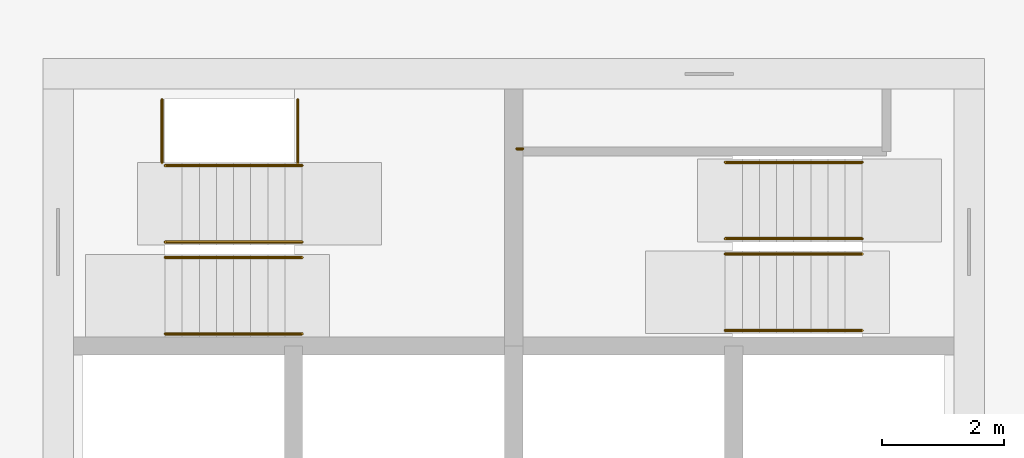
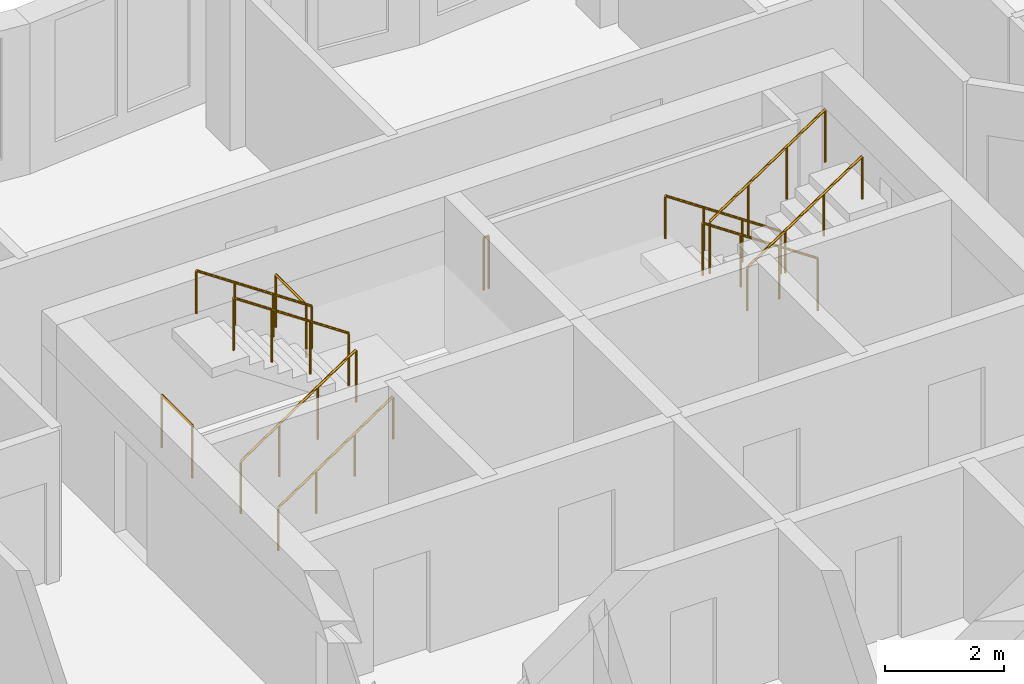
# One storey, part 10 of 11: 11 railings.
"""IFC4 building model written with IfcOpenShell, lengths in metres."""

from ifc_helpers import new_model, si_unit, direction, frame, origin, origin_2d, place, context, subcontext, project, spatial, circle, extrude, material, type_object, element, save


model = new_model("IFC4")

# Units and contexts
model_context = context("Model", 3, precision=1e-05, world=origin(), true_north=direction((0.0, 1.0)))
body_context = subcontext(model_context, "Body", "Model", "MODEL_VIEW")
ifc_project = project(units=[si_unit("LENGTHUNIT", "METRE"), si_unit("AREAUNIT", "SQUARE_METRE"), si_unit("VOLUMEUNIT", "CUBIC_METRE"), si_unit("PLANEANGLEUNIT", "RADIAN"), si_unit("MASSUNIT", "GRAM", prefix="KILO")], contexts=[model_context])

# Site, building, storey
site_placement = place(None, origin())
site = spatial("IfcSite", under=ifc_project, at=site_placement, CompositionType="ELEMENT")
building_placement = place(site_placement, origin())
building = spatial("IfcBuilding", under=site, at=building_placement, Name="Windrow Commons", CompositionType="ELEMENT")
storey_placement = place(building_placement, frame((0.0, 0.0, 196.4)))
storey = spatial("IfcBuildingStorey", under=building, at=storey_placement, Name="L53", CompositionType="ELEMENT", Elevation=196.4)

# Railings
ifc_material_1 = material(Name="Steel S355", Category="steel")
railing_type_1 = type_object("IfcRailingType", Name="Core stair guard 1100", PredefinedType="GUARDRAIL", material=ifc_material_1)
railing_1_placement = place(storey_placement, frame((59.1, 62.05, 0.1889)))
element("IfcRailing", 1, at=railing_1_placement, inside=storey, type_object=railing_type_1, Name="L53 ST-A1 stair guard 1", PredefinedType="GUARDRAIL", context=body_context, shape_type="SweptSolid", body=[
    extrude(circle(Radius=0.024, at=origin_2d()), frame((0.0, 0.0, 1.076), z_axis=(0.8290030985, 0.0, 0.5592440099), x_axis=(0.0, 1.0, 0.0)), (0.0, 0.0, 1.0), 2.702),
    extrude(circle(Radius=0.021, at=origin_2d()), origin(), (0.0, 0.0, 1.0), 1.052),
    extrude(circle(Radius=0.021, at=origin_2d()), frame((0.7467, 0.0, 0.5037)), (0.0, 0.0, 1.0), 1.052),
    extrude(circle(Radius=0.021, at=origin_2d()), frame((1.4933, 0.0, 1.0074)), (0.0, 0.0, 1.0), 1.052),
    extrude(circle(Radius=0.021, at=origin_2d()), frame((2.24, 0.0, 1.5111)), (0.0, 0.0, 1.0), 1.052),
])
railing_2_placement = place(storey_placement, frame((61.34, 62.3, 1.8889)))
element("IfcRailing", 2, at=railing_2_placement, inside=storey, type_object=railing_type_1, Name="L53 ST-A1 stair guard 2", PredefinedType="GUARDRAIL", context=body_context, shape_type="SweptSolid", body=[
    extrude(circle(Radius=0.024, at=origin_2d()), frame((0.0, 0.0, 1.076), z_axis=(-0.8290030985, 0.0, 0.5592440099), x_axis=(0.0, -1.0, 0.0)), (0.0, 0.0, 1.0), 2.702),
    extrude(circle(Radius=0.021, at=origin_2d()), origin(), (0.0, 0.0, 1.0), 1.052),
    extrude(circle(Radius=0.021, at=origin_2d()), frame((-0.7467, 0.0, 0.5037)), (0.0, 0.0, 1.0), 1.052),
    extrude(circle(Radius=0.021, at=origin_2d()), frame((-1.4933, 0.0, 1.0074)), (0.0, 0.0, 1.0), 1.052),
    extrude(circle(Radius=0.021, at=origin_2d()), frame((-2.24, 0.0, 1.5111)), (0.0, 0.0, 1.0), 1.052),
])
for number, where, name in (
    (3, (59.05, 63.6, 0.0), "L53 ST-A1 stair guard 3"),
    (4, (61.27, 63.6, 1.7), "L53 ST-A1 stair guard 4"),
):
    element("IfcRailing", number, at=place(storey_placement, frame(where)), inside=storey, type_object=railing_type_1, Name=name, PredefinedType="GUARDRAIL", context=body_context, shape_type="SweptSolid", body=[
        extrude(circle(Radius=0.024, at=origin_2d()), frame((0.0, 0.0, 1.076), z_axis=(0.0, 1.0, 0.0), x_axis=(-1.0, 0.0, 0.0)), (0.0, 0.0, 1.0), 1.03),
        extrude(circle(Radius=0.021, at=origin_2d()), origin(), (0.0, 0.0, 1.0), 1.052),
        extrude(circle(Radius=0.021, at=origin_2d()), frame((0.0, 1.03, 0.0)), (0.0, 0.0, 1.0), 1.052),
    ])
railing_3_placement = place(storey_placement, frame((70.5, 62.355, 0.1889)))
element("IfcRailing", 5, at=railing_3_placement, inside=storey, type_object=railing_type_1, Name="L53 ST-A2 stair guard 1", PredefinedType="GUARDRAIL", context=body_context, shape_type="SweptSolid", body=[
    extrude(circle(Radius=0.024, at=origin_2d()), frame((0.0, 0.0, 1.076), z_axis=(-0.8290030985, 0.0, 0.5592440099), x_axis=(0.0, -1.0, 0.0)), (0.0, 0.0, 1.0), 2.702),
    extrude(circle(Radius=0.021, at=origin_2d()), origin(), (0.0, 0.0, 1.0), 1.052),
    extrude(circle(Radius=0.021, at=origin_2d()), frame((-0.7467, 0.0, 0.5037)), (0.0, 0.0, 1.0), 1.052),
    extrude(circle(Radius=0.021, at=origin_2d()), frame((-1.4933, 0.0, 1.0074)), (0.0, 0.0, 1.0), 1.052),
    extrude(circle(Radius=0.021, at=origin_2d()), frame((-2.24, 0.0, 1.5111)), (0.0, 0.0, 1.0), 1.052),
])
railing_4_placement = place(storey_placement, frame((68.26, 62.105, 1.8889)))
element("IfcRailing", 6, at=railing_4_placement, inside=storey, type_object=railing_type_1, Name="L53 ST-A2 stair guard 2", PredefinedType="GUARDRAIL", context=body_context, shape_type="SweptSolid", body=[
    extrude(circle(Radius=0.024, at=origin_2d()), frame((0.0, 0.0, 1.076), z_axis=(0.8290030985, 0.0, 0.5592440099), x_axis=(0.0, 1.0, 0.0)), (0.0, 0.0, 1.0), 2.702),
    extrude(circle(Radius=0.021, at=origin_2d()), origin(), (0.0, 0.0, 1.0), 1.052),
    extrude(circle(Radius=0.021, at=origin_2d()), frame((0.7467, 0.0, 0.5037)), (0.0, 0.0, 1.0), 1.052),
    extrude(circle(Radius=0.021, at=origin_2d()), frame((1.4933, 0.0, 1.0074)), (0.0, 0.0, 1.0), 1.052),
    extrude(circle(Radius=0.021, at=origin_2d()), frame((2.24, 0.0, 1.5111)), (0.0, 0.0, 1.0), 1.052),
])
railing_5_placement = place(storey_placement, frame((64.95, 63.825, 1.7)))
element("IfcRailing", 7, at=railing_5_placement, inside=storey, type_object=railing_type_1, Name="L53 ST-A2 stair guard 3", PredefinedType="GUARDRAIL", context=body_context, shape_type="SweptSolid", body=[
    extrude(circle(Radius=0.024, at=origin_2d()), frame((0.0, 0.0, 1.076), z_axis=(-1.0, 0.0, 0.0), x_axis=(0.0, -1.0, 0.0)), (0.0, 0.0, 1.0), 0.1),
    extrude(circle(Radius=0.021, at=origin_2d()), origin(), (0.0, 0.0, 1.0), 1.052),
    extrude(circle(Radius=0.021, at=origin_2d()), frame((-0.1, 0.0, 0.0)), (0.0, 0.0, 1.0), 1.052),
])
ifc_material_2 = material(Name="Steel S355", Category="steel")
railing_type_2 = type_object("IfcRailingType", Name="Core stair handrail 900", PredefinedType="HANDRAIL", material=ifc_material_2)
railing_6_placement = place(storey_placement, frame((59.1, 60.8, 0.1889)))
element("IfcRailing", 8, at=railing_6_placement, inside=storey, type_object=railing_type_2, Name="L53 ST-A1 stair handrail 1", PredefinedType="HANDRAIL", context=body_context, shape_type="SweptSolid", body=[
    extrude(circle(Radius=0.024, at=origin_2d()), frame((0.0, 0.0, 0.876), z_axis=(0.8290030985, 0.0, 0.5592440099), x_axis=(0.0, 1.0, 0.0)), (0.0, 0.0, 1.0), 2.702),
    extrude(circle(Radius=0.021, at=origin_2d()), origin(), (0.0, 0.0, 1.0), 0.852),
    extrude(circle(Radius=0.021, at=origin_2d()), frame((0.7467, 0.0, 0.5037)), (0.0, 0.0, 1.0), 0.852),
    extrude(circle(Radius=0.021, at=origin_2d()), frame((1.4933, 0.0, 1.0074)), (0.0, 0.0, 1.0), 0.852),
    extrude(circle(Radius=0.021, at=origin_2d()), frame((2.24, 0.0, 1.5111)), (0.0, 0.0, 1.0), 0.852),
])
for number, where, name in (
    (9, (61.34, 63.55, 1.8889), "L53 ST-A1 stair handrail 2"),
    (10, (70.5, 63.605, 0.1889), "L53 ST-A2 stair handrail 1"),
):
    element("IfcRailing", number, at=place(storey_placement, frame(where)), inside=storey, type_object=railing_type_2, Name=name, PredefinedType="HANDRAIL", context=body_context, shape_type="SweptSolid", body=[
        extrude(circle(Radius=0.024, at=origin_2d()), frame((0.0, 0.0, 0.876), z_axis=(-0.8290030985, 0.0, 0.5592440099), x_axis=(0.0, -1.0, 0.0)), (0.0, 0.0, 1.0), 2.702),
        extrude(circle(Radius=0.021, at=origin_2d()), origin(), (0.0, 0.0, 1.0), 0.852),
        extrude(circle(Radius=0.021, at=origin_2d()), frame((-0.7467, 0.0, 0.5037)), (0.0, 0.0, 1.0), 0.852),
        extrude(circle(Radius=0.021, at=origin_2d()), frame((-1.4933, 0.0, 1.0074)), (0.0, 0.0, 1.0), 0.852),
        extrude(circle(Radius=0.021, at=origin_2d()), frame((-2.24, 0.0, 1.5111)), (0.0, 0.0, 1.0), 0.852),
    ])
railing_7_placement = place(storey_placement, frame((68.26, 60.855, 1.8889)))
element("IfcRailing", 11, at=railing_7_placement, inside=storey, type_object=railing_type_2, Name="L53 ST-A2 stair handrail 2", PredefinedType="HANDRAIL", context=body_context, shape_type="SweptSolid", body=[
    extrude(circle(Radius=0.024, at=origin_2d()), frame((0.0, 0.0, 0.876), z_axis=(0.8290030985, 0.0, 0.5592440099), x_axis=(0.0, 1.0, 0.0)), (0.0, 0.0, 1.0), 2.702),
    extrude(circle(Radius=0.021, at=origin_2d()), origin(), (0.0, 0.0, 1.0), 0.852),
    extrude(circle(Radius=0.021, at=origin_2d()), frame((0.7467, 0.0, 0.5037)), (0.0, 0.0, 1.0), 0.852),
    extrude(circle(Radius=0.021, at=origin_2d()), frame((1.4933, 0.0, 1.0074)), (0.0, 0.0, 1.0), 0.852),
    extrude(circle(Radius=0.021, at=origin_2d()), frame((2.24, 0.0, 1.5111)), (0.0, 0.0, 1.0), 0.852),
])

save(model, "model.ifc")
